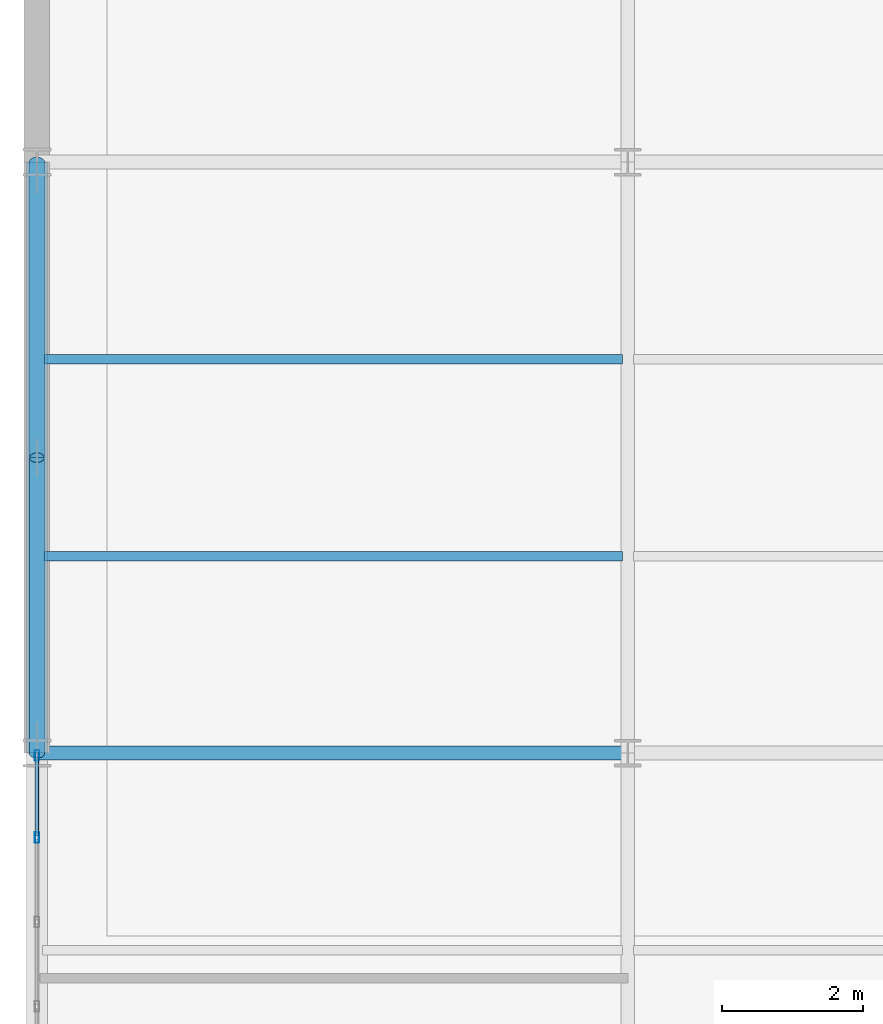
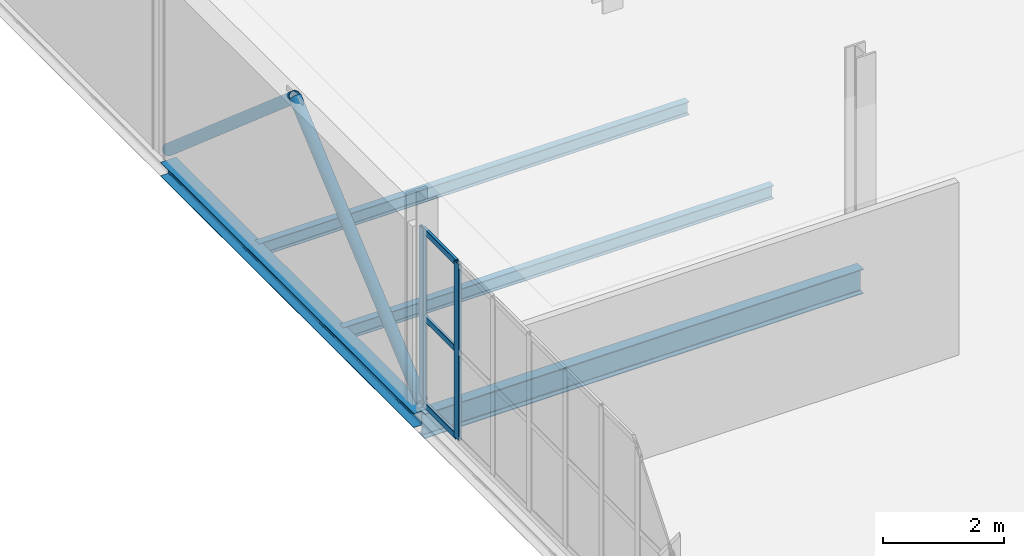
# One storey, part 29 of 184: 7 members, 4 beams, 1 element without a shape of its own.
"""IFC4 building model written with IfcOpenShell, lengths in metres."""

from ifc_helpers import new_model, si_unit, direction, frame, origin, origin_2d, place, context, subcontext, project, spatial, hollow_rectangle, hollow_circle, i_section, extrude, material, layer, layer_set, material_profile, profile_set, type_object, element, aggregate, save


model = new_model("IFC4")

# Units and contexts
model_context = context("Model", 3, precision=1e-05, world=origin(), true_north=direction((0.0, 1.0)))
body_context = subcontext(model_context, "Body", "Model", "MODEL_VIEW")
ifc_project = project(units=[si_unit("LENGTHUNIT", "METRE"), si_unit("AREAUNIT", "SQUARE_METRE"), si_unit("VOLUMEUNIT", "CUBIC_METRE"), si_unit("PLANEANGLEUNIT", "RADIAN"), si_unit("MASSUNIT", "GRAM", prefix="KILO")], contexts=[model_context])

# Site, building, storey
site_placement = place(None, origin())
site = spatial("IfcSite", under=ifc_project, at=site_placement, CompositionType="ELEMENT")
building_placement = place(site_placement, origin())
building = spatial("IfcBuilding", under=site, at=building_placement, Name="Qalvenar Corner Mobility Hub", CompositionType="ELEMENT")
storey_placement = place(building_placement, frame((0.0, 0.0, 9.0)))
storey = spatial("IfcBuildingStorey", under=building, at=storey_placement, Name="L02", CompositionType="ELEMENT", Elevation=9.0)

# Beams
ifc_material_1 = material(Name="Steel S355", Category="steel")
ifc_material_profile_1 = material_profile(ifc_material_1, i_section(OverallWidth=0.199951171875, OverallDepth=0.5, WebThickness=0.01025390625, FlangeThickness=0.01611328125, FilletRadius=0.02099609375, at=origin_2d()), Name="IPE500")
ifc_profile_set_1 = profile_set([ifc_material_profile_1], Name="Steel S355")
beam_type_1 = type_object("IfcBeamType", Name="BM-IPE500", PredefinedType="BEAM", material=ifc_profile_set_1)
beam_1_placement = place(storey_placement, frame((0.0, 25.199951171875, -0.429931640625), z_axis=(1.0, 0.0, 0.0), x_axis=(0.0, 1.0, 0.0)))
element("IfcBeam", 1, at=beam_1_placement, inside=storey, type_object=beam_type_1, Name="Primary Steel Girder GX-1559", PredefinedType="BEAM", context=body_context, shape_type="SweptSolid", body=[
    extrude(i_section(OverallWidth=0.199951171875, OverallDepth=0.5, WebThickness=0.01025390625, FlangeThickness=0.01611328125, FilletRadius=0.02099609375, at=origin_2d()), origin(), (0.0, 0.0, 1.0), 8.39990234375),
])
ifc_material_profile_2 = material_profile(ifc_material_1, i_section(OverallWidth=0.135009765625, OverallDepth=0.27001953125, WebThickness=0.006591796875, FlangeThickness=0.01025390625, FilletRadius=0.014892578125, at=origin_2d()), Name="IPE270")
ifc_profile_set_2 = profile_set([ifc_material_profile_2], Name="Steel S355")
beam_type_2 = type_object("IfcBeamType", Name="BM-JST270", PredefinedType="JOIST", material=ifc_profile_set_2)
for number, where, z_axis, x_axis, name in (
    (2, (0.077880859375, 28.0, -0.31494140625), (1.0, 0.0, 0.0), (0.0, 1.0, 0.0), "Composite Floor Joist J-1619"),
    (3, (0.077880859375, 30.800048828125, -0.31494140625), (1.0, 0.0, 0.0), (0.0, 1.0, 0.0), "Composite Floor Joist J-1620"),
):
    element("IfcBeam", number, at=place(storey_placement, frame(where, z_axis=z_axis, x_axis=x_axis)), inside=storey, type_object=beam_type_2, Name=name, PredefinedType="JOIST", context=body_context, shape_type="SweptSolid", body=[
        extrude(i_section(OverallWidth=0.135009765625, OverallDepth=0.27001953125, WebThickness=0.006591796875, FlangeThickness=0.01025390625, FilletRadius=0.014892578125, at=origin_2d()), origin(), (0.0, 0.0, 1.0), 8.244140625),
    ])
ifc_material_profile_3 = material_profile(ifc_material_1, i_section(OverallWidth=0.300048828125, OverallDepth=0.2900390625, WebThickness=0.008544921875, FlangeThickness=0.013916015625, FilletRadius=0.027099609375, at=origin_2d()), Name="HEA300")
ifc_profile_set_3 = profile_set([ifc_material_profile_3], Name="Steel S355")
beam_type_3 = type_object("IfcBeamType", Name="BM-SPN300", PredefinedType="SPANDREL", material=ifc_profile_set_3)
beam_2_placement = place(storey_placement, frame((0.0, 25.199951171875, -0.324951171875), z_axis=(0.0, 1.0, 0.0), x_axis=(-1.0, 0.0, 0.0)))
element("IfcBeam", 4, at=beam_2_placement, inside=storey, type_object=beam_type_3, Name="Primary Steel Girder GY-1580", PredefinedType="SPANDREL", context=body_context, shape_type="SweptSolid", body=[
    extrude(i_section(OverallWidth=0.300048828125, OverallDepth=0.2900390625, WebThickness=0.008544921875, FlangeThickness=0.013916015625, FilletRadius=0.027099609375, at=origin_2d()), origin(), (0.0, 0.0, 1.0), 8.400146484375),
])

# Members
ifc_material_profile_4 = material_profile(ifc_material_1, hollow_circle(Radius=0.109619140625, WallThickness=0.010009765625, at=origin_2d()), Name="CHS219.1x10")
ifc_profile_set_4 = profile_set([ifc_material_profile_4], Name="Steel S355")
member_type_1 = type_object("IfcMemberType", Name="BR-CHS219", PredefinedType="BRACE", material=ifc_profile_set_4)
member_1_placement = place(storey_placement, frame((0.0, 25.199951171875, 0.02001953125), z_axis=(0.0, 0.757479038629, 0.652859484145), x_axis=(-1.0, 0.0, 0.0)))
element("IfcMember", 5, at=member_1_placement, inside=storey, type_object=member_type_1, Name="Chevron Lateral Brace BR-015", PredefinedType="BRACE", context=body_context, shape_type="SweptSolid", body=[
    extrude(hollow_circle(Radius=0.109619140625, WallThickness=0.010009765625, at=origin_2d()), origin(), (0.0, 0.0, 1.0), 5.544677734375),
])
member_2_placement = place(storey_placement, frame((0.0, 33.60009765625, 0.02001953125), z_axis=(0.0, -0.757497805166, 0.652837709672), x_axis=(1.0, 0.0, 0.0)))
element("IfcMember", 6, at=member_2_placement, inside=storey, type_object=member_type_1, Name="Chevron Lateral Brace BR-016", PredefinedType="BRACE", context=body_context, shape_type="SweptSolid", body=[
    extrude(hollow_circle(Radius=0.109619140625, WallThickness=0.010009765625, at=origin_2d()), origin(), (0.0, 0.0, 1.0), 5.544921875),
])

# Curtain wall, members
ifc_material_2 = material(Name="Anodised Aluminium and Low-E Glazing", Category="aluminium")
ifc_layer = layer(ifc_material_2, 0.14990234375)
ifc_layer_set = layer_set([ifc_layer], Name="Anodised Aluminium and Low-E Glazing")
curtain_wall_type = type_object("IfcCurtainWallType", Name="CW-CIV-84X40", PredefinedType="NOTDEFINED", material=ifc_layer_set)
curtain_wall_placement = place(storey_placement, origin())
curtain_wall = element("IfcCurtainWall", 7, at=curtain_wall_placement, inside=storey, type_object=curtain_wall_type, Name="Glazed Curtain Wall CW-V3-L02-W2", PredefinedType="NOTDEFINED")
ifc_material_3 = material(Name="Anodised Aluminium 6063-T6", Category="aluminium")
ifc_material_profile_5 = material_profile(ifc_material_3, hollow_rectangle(XDim=0.06005859375, YDim=0.14990234375, WallThickness=0.00390625, InnerFilletRadius=0.00390625, OuterFilletRadius=0.008056640625, at=origin_2d()), Name="RHS150x60x4")
ifc_profile_set_5 = profile_set([ifc_material_profile_5], Name="Anodised Aluminium 6063-T6")
member_type_2 = type_object("IfcMemberType", Name="CW-MUL150", PredefinedType="MULLION", material=ifc_profile_set_5)
member_3_placement = place(storey_placement, frame((0.0, 25.169921875, 0.0), z_axis=(0.0, 0.0, 1.0), x_axis=(1.0, 0.0, 0.0)))
member_3 = element("IfcMember", 8, at=member_3_placement, type_object=member_type_2, Name="CW-05 mullion 1", PredefinedType="MULLION", context=body_context, shape_type="SweptSolid", body=[
    extrude(hollow_rectangle(XDim=0.06005859375, YDim=0.14990234375, WallThickness=0.00390625, InnerFilletRadius=0.00390625, OuterFilletRadius=0.008056640625, at=origin_2d()), origin(), (0.0, 0.0, 1.0), 3.570068359375),
])
member_4_placement = place(storey_placement, frame((0.0, 24.0, 0.0), z_axis=(0.0, 0.0, 1.0), x_axis=(1.0, 0.0, 0.0)))
member_4 = element("IfcMember", 9, at=member_4_placement, type_object=member_type_2, Name="CW-05 mullion 2", PredefinedType="MULLION", context=body_context, shape_type="SweptSolid", body=[
    extrude(hollow_rectangle(XDim=0.06005859375, YDim=0.14990234375, WallThickness=0.00390625, InnerFilletRadius=0.00390625, OuterFilletRadius=0.008056640625, at=origin_2d()), origin(), (0.0, 0.0, 1.0), 3.570068359375),
])
ifc_material_profile_6 = material_profile(ifc_material_3, hollow_rectangle(XDim=0.054931640625, YDim=0.1201171875, WallThickness=0.00341796875, InnerFilletRadius=0.00341796875, OuterFilletRadius=0.007080078125, at=origin_2d()), Name="RHS120x55x3.5")
ifc_profile_set_6 = profile_set([ifc_material_profile_6], Name="Anodised Aluminium 6063-T6")
member_type_3 = type_object("IfcMemberType", Name="CW-TRN120", PredefinedType="USERDEFINED", material=ifc_profile_set_6)
member_5_placement = place(storey_placement, frame((0.0, 25.139892578125, 0.027587890625), z_axis=(0.0, -1.0, 0.0), x_axis=(1.0, 0.0, 0.0)))
member_5 = element("IfcMember", 10, at=member_5_placement, type_object=member_type_3, Name="CW-05 transom 1.1", ObjectType="TRANSOM", PredefinedType="USERDEFINED", context=body_context, shape_type="SweptSolid", body=[
    extrude(hollow_rectangle(XDim=0.054931640625, YDim=0.1201171875, WallThickness=0.00341796875, InnerFilletRadius=0.00341796875, OuterFilletRadius=0.007080078125, at=origin_2d()), origin(), (0.0, 0.0, 1.0), 1.10986328125),
])
member_6_placement = place(storey_placement, frame((0.0, 25.139892578125, 1.784912109375), z_axis=(0.0, -1.0, 0.0), x_axis=(1.0, 0.0, 0.0)))
member_6 = element("IfcMember", 11, at=member_6_placement, type_object=member_type_3, Name="CW-05 transom 1.2", ObjectType="TRANSOM", PredefinedType="USERDEFINED", context=body_context, shape_type="SweptSolid", body=[
    extrude(hollow_rectangle(XDim=0.054931640625, YDim=0.1201171875, WallThickness=0.00341796875, InnerFilletRadius=0.00341796875, OuterFilletRadius=0.007080078125, at=origin_2d()), origin(), (0.0, 0.0, 1.0), 1.10986328125),
])
member_7_placement = place(storey_placement, frame((0.0, 25.139892578125, 3.54248046875), z_axis=(0.0, -1.0, 0.0), x_axis=(1.0, 0.0, 0.0)))
member_7 = element("IfcMember", 12, at=member_7_placement, type_object=member_type_3, Name="CW-05 transom 1.3", ObjectType="TRANSOM", PredefinedType="USERDEFINED", context=body_context, shape_type="SweptSolid", body=[
    extrude(hollow_rectangle(XDim=0.054931640625, YDim=0.1201171875, WallThickness=0.00341796875, InnerFilletRadius=0.00341796875, OuterFilletRadius=0.007080078125, at=origin_2d()), origin(), (0.0, 0.0, 1.0), 1.10986328125),
])
aggregate(curtain_wall, [member_3, member_4, member_5, member_6, member_7])

save(model, "model.ifc")
